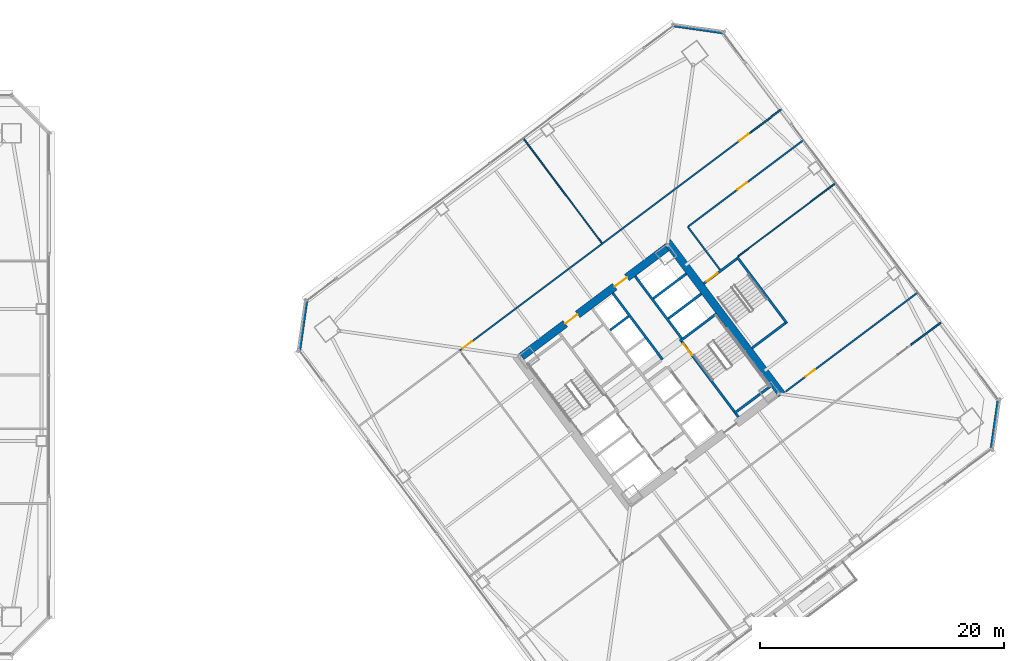
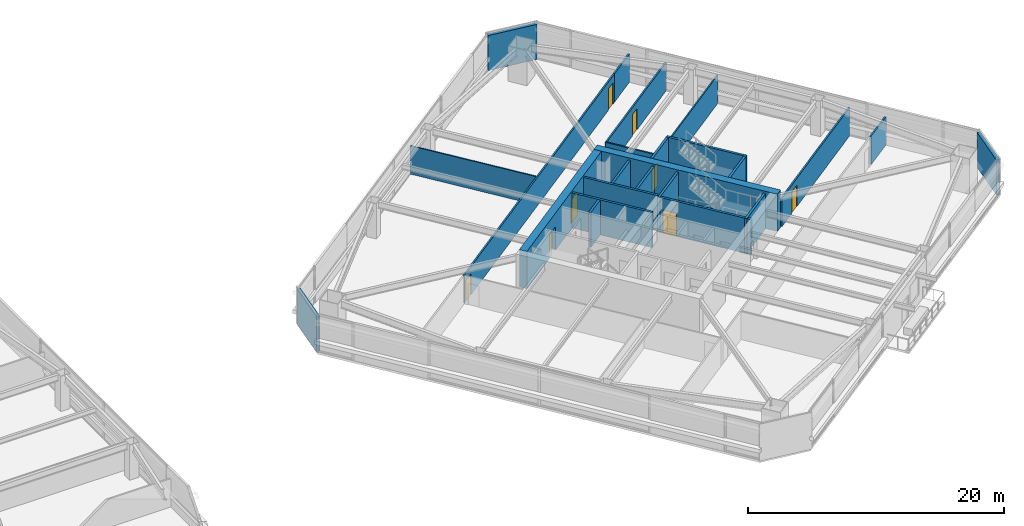
# One storey, part 42 of 51: 24 walls, 8 doors, 8 openings.
"""IFC4 building model written with IfcOpenShell, lengths in metres."""

from ifc_helpers import new_model, si_unit, direction, frame, frame_2d, origin, place, context, subcontext, project, spatial, rectangle, extrude, material, layer, layer_set, type_object, element, fill, save


model = new_model("IFC4")

# Units and contexts
model_context = context("Model", 3, precision=1e-05, world=origin(), true_north=direction((0.0, 1.0)))
body_context = subcontext(model_context, "Body", "Model", "MODEL_VIEW")
ifc_project = project(units=[si_unit("LENGTHUNIT", "METRE"), si_unit("AREAUNIT", "SQUARE_METRE"), si_unit("VOLUMEUNIT", "CUBIC_METRE"), si_unit("PLANEANGLEUNIT", "RADIAN"), si_unit("MASSUNIT", "GRAM", prefix="KILO")], contexts=[model_context])

# Site, building, storey
site_placement = place(None, origin())
site = spatial("IfcSite", under=ifc_project, at=site_placement, CompositionType="ELEMENT")
building_placement = place(site_placement, origin())
building = spatial("IfcBuilding", under=site, at=building_placement, Name="Tashvorn Skyway Center", CompositionType="ELEMENT")
storey_placement = place(building_placement, frame((0.0, 0.0, 49.449951171875)))
storey = spatial("IfcBuildingStorey", under=building, at=storey_placement, Name="L12", CompositionType="ELEMENT", Elevation=49.449951171875)

# Wall
ifc_material_1 = material(Name="Concrete C60/75", Category="concrete")
ifc_layer_1 = layer(ifc_material_1, 0.64990234375)
ifc_layer_set_1 = layer_set([ifc_layer_1], Name="Concrete C60/75")
wall_type_1 = type_object("IfcWallType", Name="WALL-CORE-650", PredefinedType="SHEAR", material=ifc_layer_set_1)
wall_1_placement = place(storey_placement, frame((115.52392578125, 42.89306640625, 0.0), z_axis=(0.0, 0.0, 1.0), x_axis=(0.600005007985, -0.799996243986, 0.0)))
element("IfcWall", 1, at=wall_1_placement, inside=storey, type_object=wall_type_1, Name="Tower 2 L12 East Core Shear Wall", PredefinedType="SHEAR", context=body_context, shape_type="SweptSolid", body=[
    extrude(rectangle(XDim=15.60009765625, YDim=0.64990234375, at=frame_2d((7.800048828125, 0.0))), origin(), (0.0, 0.0, 1.0), 3.550048828125),
])

# Wall, openings, doors
wall_2_placement = place(storey_placement, frame((103.571044921875, 33.52197265625, 0.0), z_axis=(0.0, 0.0, 1.0), x_axis=(0.799998028465, 0.600002628705, 0.0)))
wall_2 = element("IfcWall", 2, at=wall_2_placement, inside=storey, type_object=wall_type_1, Name="Tower 2 L12 North Core Shear Wall", PredefinedType="SHEAR", context=body_context, shape_type="SweptSolid", body=[
    extrude(rectangle(XDim=14.85986328125, YDim=0.64990234375, at=frame_2d((7.429931640625, 0.0))), origin(), (0.0, 0.0, 1.0), 3.550048828125),
])
opening_1_placement = place(wall_2_placement, frame((4.47998046875, 0.0, 0.0)))
opening_1 = element("IfcOpeningElement", 3, at=opening_1_placement, cuts=wall_2, Name="Opening D-FFL-1250", PredefinedType="OPENING", context=body_context, shape_type="SweptSolid", body=[
    extrude(rectangle(XDim=1.25, YDim=2.25, at=frame_2d((0.625, 1.125))), frame((0.0, 0.3349609375, 0.0), z_axis=(0.0, -1.0, 0.0), x_axis=(1.0, 0.0, 0.0)), (0.0, 0.0, 1.0), 0.669921875),
])
opening_2_placement = place(wall_2_placement, frame((9.530029296875, 0.0, 0.0)))
opening_2 = element("IfcOpeningElement", 4, at=opening_2_placement, cuts=wall_2, Name="Opening D-FFL-1250", PredefinedType="OPENING", context=body_context, shape_type="SweptSolid", body=[
    extrude(rectangle(XDim=1.25, YDim=2.25, at=frame_2d((0.625, 1.125))), frame((0.0, 0.3349609375, 0.0), z_axis=(0.0, -1.0, 0.0), x_axis=(1.0, 0.0, 0.0)), (0.0, 0.0, 1.0), 0.669921875),
])
ifc_material_2 = material(Name="Hollow galvanized steel fire door assembly", Category="steel")
door_type_1 = type_object("IfcDoorType", Name="DOOR-FFL-1250", OperationType="NOTDEFINED", PredefinedType="DOOR", material=ifc_material_2)
door_1_placement = place(opening_1_placement, origin())
door_1 = element("IfcDoor", 5, at=door_1_placement, inside=storey, type_object=door_type_1, Name="Tower 2 L12 Core North Service Lobby Door", OperationType="SINGLE_SWING_LEFT", OverallHeight=2.25, OverallWidth=1.25, PredefinedType="DOOR", context=body_context, shape_type="SweptSolid", body=[
    extrude(rectangle(XDim=1.25, YDim=2.25, at=frame_2d((0.625, 1.125))), frame((0.0, 0.02490234375, 0.0), z_axis=(0.0, -1.0, 0.0), x_axis=(1.0, 0.0, 0.0)), (0.0, 0.0, 1.0), 0.050048828125),
])
fill(opening_1, door_1)
door_2_placement = place(opening_2_placement, origin())
door_2 = element("IfcDoor", 6, at=door_2_placement, inside=storey, type_object=door_type_1, Name="Tower 2 L12 Core North Lift Lobby Door", OperationType="SINGLE_SWING_RIGHT", OverallHeight=2.25, OverallWidth=1.25, PredefinedType="DOOR", context=body_context, shape_type="SweptSolid", body=[
    extrude(rectangle(XDim=1.25, YDim=2.25, at=frame_2d((0.625, 1.125))), frame((0.0, 0.02490234375, 0.0), z_axis=(0.0, -1.0, 0.0), x_axis=(1.0, 0.0, 0.0)), (0.0, 0.0, 1.0), 0.050048828125),
])
fill(opening_2, door_2)

# Walls
ifc_material_3 = material(Name="Precast concrete C40/50", Category="concrete")
ifc_layer_2 = layer(ifc_material_3, 0.280029296875)
ifc_layer_set_2 = layer_set([ifc_layer_2], Name="Precast concrete C40/50")
wall_type_2 = type_object("IfcWallType", Name="WALL-EXT-280", PredefinedType="SOLIDWALL", material=ifc_layer_set_2)
for number, where, z_axis, x_axis, name in (
    (7, (85.360107421875, 34.02001953125, 0.0), (0.0, 0.0, 1.0), (0.14137968631, 0.989955445613, 0.0), "Tower 2 L12 NW Precast Chamfer Wall"),
    (8, (116.02001953125, 60.639892578125, 0.0), (0.0, 0.0, 1.0), (0.989955445613, -0.14137968631, 0.0), "Tower 2 L12 NE Precast Chamfer Wall"),
    (9, (142.639892578125, 29.97998046875, 0.0), (0.0, 0.0, 1.0), (-0.14137968631, -0.989955445613, 0.0), "Tower 2 L12 SE Precast Chamfer Wall"),
):
    element("IfcWall", number, at=place(storey_placement, frame(where, z_axis=z_axis, x_axis=x_axis)), inside=storey, type_object=wall_type_2, Name=name, PredefinedType="SOLIDWALL", context=body_context, shape_type="SweptSolid", body=[
        extrude(rectangle(XDim=4.101318359375, YDim=0.280029296875, at=frame_2d((2.05078125, 0.0))), origin(), (0.0, 0.0, 1.0), 3.35009765625),
    ])
ifc_material_4 = material(Name="Gypsum board on cold-formed steel stud framing", Category="steel")
ifc_layer_3 = layer(ifc_material_4, 0.110107421875)
ifc_layer_set_3 = layer_set([ifc_layer_3], Name="Gypsum board on cold-formed steel stud framing")
wall_type_3 = type_object("IfcWallType", Name="WALL-PART-110", PredefinedType="PARTITIONING", material=ifc_layer_set_3)
wall_3_placement = place(storey_placement, frame((110.132080078125, 42.823974609375, 0.0), z_axis=(0.0, 0.0, 1.0), x_axis=(-0.600007301277, 0.79999452399, 0.0)))
element("IfcWall", 10, at=wall_3_placement, inside=storey, type_object=wall_type_3, Name="Tower 2 L12 North Suite Partition 1", PredefinedType="PARTITIONING", context=body_context, shape_type="SweptSolid", body=[
    extrude(rectangle(XDim=10.7001953125, YDim=0.110107421875, at=frame_2d((5.35009765625, 0.0))), origin(), (0.0, 0.0, 1.0), 2.703125),
])
wall_4_placement = place(storey_placement, frame((129.303955078125, 47.72802734375, 0.0), z_axis=(0.0, 0.0, 1.0), x_axis=(-0.8, -0.6, 0.0)))
element("IfcWall", 11, at=wall_4_placement, inside=storey, type_object=wall_type_3, Name="Tower 2 L12 East Suite Partition 1", PredefinedType="PARTITIONING", context=body_context, shape_type="SweptSolid", body=[
    extrude(rectangle(XDim=10.0, YDim=0.110107421875, at=frame_2d((5.0, 0.0))), origin(), (0.0, 0.0, 1.0), 2.703125),
])
ifc_layer_4 = layer(ifc_material_4, 0.135009765625)
ifc_layer_set_4 = layer_set([ifc_layer_4], Name="Gypsum board on cold-formed steel stud framing")
wall_type_4 = type_object("IfcWallType", Name="WALL-PART-135", PredefinedType="PARTITIONING", material=ifc_layer_set_4)
wall_5_placement = place(storey_placement, frame((119.823974609375, 40.617919921875, 0.0), z_axis=(0.0, 0.0, 1.0), x_axis=(-0.599982243973, 0.800013316712, 0.0)))
element("IfcWall", 12, at=wall_5_placement, inside=storey, type_object=wall_type_4, Name="Tower 2 L12 Stair 3 Access Corridor Wall", PredefinedType="PARTITIONING", context=body_context, shape_type="SweptSolid", body=[
    extrude(rectangle(XDim=4.39990234375, YDim=0.135009765625, at=frame_2d((2.199951171875, 0.0))), origin(), (0.0, 0.0, 1.0), 2.703125),
])

# Wall, openings, doors
wall_6_placement = place(storey_placement, frame((98.51611328125, 34.011962890625, 0.0), z_axis=(0.0, 0.0, 1.0), x_axis=(0.799998035726, 0.600002619023, 0.0)))
wall_6 = element("IfcWall", 13, at=wall_6_placement, inside=storey, type_object=wall_type_4, Name="Tower 2 L12 North Suite Wall", PredefinedType="PARTITIONING", context=body_context, shape_type="SweptSolid", body=[
    extrude(rectangle(XDim=29.829833984375, YDim=0.135009765625, at=frame_2d((14.9150390625, 0.0))), origin(), (0.0, 0.0, 1.0), 2.703125),
])
opening_3_placement = place(wall_6_placement, frame((0.300048828125, 0.0, 0.0)))
opening_3 = element("IfcOpeningElement", 14, at=opening_3_placement, cuts=wall_6, Name="Opening D-INT-950", PredefinedType="OPENING", context=body_context, shape_type="SweptSolid", body=[
    extrude(rectangle(XDim=0.949951171875, YDim=2.050048828125, at=frame_2d((0.47509765625, 1.02490234375))), frame((0.0, 0.077392578125, 0.0), z_axis=(0.0, -1.0, 0.0), x_axis=(1.0, 0.0, 0.0)), (0.0, 0.0, 1.0), 0.155029296875),
])
opening_4_placement = place(wall_6_placement, frame((28.580078125, 0.0, 0.0)))
opening_4 = element("IfcOpeningElement", 15, at=opening_4_placement, cuts=wall_6, Name="Opening D-INT-950", PredefinedType="OPENING", context=body_context, shape_type="SweptSolid", body=[
    extrude(rectangle(XDim=0.949951171875, YDim=2.050048828125, at=frame_2d((0.47509765625, 1.02490234375))), frame((0.0, 0.077392578125, 0.0), z_axis=(0.0, -1.0, 0.0), x_axis=(1.0, 0.0, 0.0)), (0.0, 0.0, 1.0), 0.155029296875),
])
ifc_material_5 = material(Name="Solid-core architectural oak veneer door")
door_type_2 = type_object("IfcDoorType", Name="DOOR-INT-950", OperationType="NOTDEFINED", PredefinedType="DOOR", material=ifc_material_5)
door_3_placement = place(opening_3_placement, origin())
door_3 = element("IfcDoor", 16, at=door_3_placement, inside=storey, type_object=door_type_2, Name="Tower 2 L12 Wellness Clinic Door", OperationType="SINGLE_SWING_RIGHT", OverallHeight=2.050048828125, OverallWidth=0.949951171875, PredefinedType="DOOR", context=body_context, shape_type="SweptSolid", body=[
    extrude(rectangle(XDim=0.949951171875, YDim=2.050048828125, at=frame_2d((0.47509765625, 1.02490234375))), frame((0.0, 0.02490234375, 0.0), z_axis=(0.0, -1.0, 0.0), x_axis=(1.0, 0.0, 0.0)), (0.0, 0.0, 1.0), 0.050048828125),
])
fill(opening_3, door_3)
door_4_placement = place(opening_4_placement, origin())
door_4 = element("IfcDoor", 17, at=door_4_placement, inside=storey, type_object=door_type_2, Name="Tower 2 L12 Wellness Clinic Door", OperationType="SINGLE_SWING_LEFT", OverallHeight=2.050048828125, OverallWidth=0.949951171875, PredefinedType="DOOR", context=body_context, shape_type="SweptSolid", body=[
    extrude(rectangle(XDim=0.949951171875, YDim=2.050048828125, at=frame_2d((0.47509765625, 1.02490234375))), frame((0.0, 0.02490234375, 0.0), z_axis=(0.0, -1.0, 0.0), x_axis=(1.0, 0.0, 0.0)), (0.0, 0.0, 1.0), 0.050048828125),
])
fill(opening_4, door_4)

# Walls
for number, where, z_axis, x_axis, name in (
    (18, (122.3798828125, 51.909912109375, 0.0), (0.0, 0.0, 1.0), (0.799990331366, 0.600012891296, 0.0), "Tower 2 L12 North-East Suite South Wall"),
    (19, (135.4599609375, 34.469970703125, 0.0), (0.0, 0.0, 1.0), (0.799990331366, 0.600012891296, 0.0), "Tower 2 L12 South-East Suite North Wall"),
):
    element("IfcWall", number, at=place(storey_placement, frame(where, z_axis=z_axis, x_axis=x_axis)), inside=storey, type_object=wall_type_4, Name=name, PredefinedType="PARTITIONING", context=body_context, shape_type="SweptSolid", body=[
        extrude(rectangle(XDim=3.030029296875, YDim=0.135009765625, at=frame_2d((1.51513671875, 0.0))), origin(), (0.0, 0.0, 1.0), 2.703125),
    ])

# Wall, opening, door
wall_7_placement = place(storey_placement, frame((126.6640625, 51.248046875, 0.0), z_axis=(0.0, 0.0, 1.0), x_axis=(-0.799995055373, -0.600006592779, 0.0)))
wall_7 = element("IfcWall", 20, at=wall_7_placement, inside=storey, type_object=wall_type_4, Name="Tower 2 L12 East Suite North Wall", PredefinedType="PARTITIONING", context=body_context, shape_type="SweptSolid", body=[
    extrude(rectangle(XDim=11.85009765625, YDim=0.135009765625, at=frame_2d((5.925048828125, 0.0))), origin(), (0.0, 0.0, 1.0), 2.703125),
])
opening_5_placement = place(wall_7_placement, frame((5.800048828125, 0.0, 0.0)))
opening_5 = element("IfcOpeningElement", 21, at=opening_5_placement, cuts=wall_7, Name="Opening D-INT-950", PredefinedType="OPENING", context=body_context, shape_type="SweptSolid", body=[
    extrude(rectangle(XDim=0.949951171875, YDim=2.050048828125, at=frame_2d((0.47509765625, 1.02490234375))), frame((0.0, 0.077392578125, 0.0), z_axis=(0.0, -1.0, 0.0), x_axis=(1.0, 0.0, 0.0)), (0.0, 0.0, 1.0), 0.155029296875),
])
door_5_placement = place(opening_5_placement, origin())
door_5 = element("IfcDoor", 22, at=door_5_placement, inside=storey, type_object=door_type_2, Name="Tower 2 L12 Operations Control Room Door", OperationType="SINGLE_SWING_RIGHT", OverallHeight=2.050048828125, OverallWidth=0.949951171875, PredefinedType="DOOR", context=body_context, shape_type="SweptSolid", body=[
    extrude(rectangle(XDim=0.949951171875, YDim=2.050048828125, at=frame_2d((0.47509765625, 1.02490234375))), frame((0.0, 0.02490234375, 0.0), z_axis=(0.0, -1.0, 0.0), x_axis=(1.0, 0.0, 0.0)), (0.0, 0.0, 1.0), 0.050048828125),
])
fill(opening_5, door_5)

wall_8_placement = place(storey_placement, frame((125.2080078125, 30.656005859375, 0.0), z_axis=(0.0, 0.0, 1.0), x_axis=(0.799995666112, 0.600005778473, 0.0)))
wall_8 = element("IfcWall", 23, at=wall_8_placement, inside=storey, type_object=wall_type_4, Name="Tower 2 L12 East Suite South Wall", PredefinedType="PARTITIONING", context=body_context, shape_type="SweptSolid", body=[
    extrude(rectangle(XDim=13.52001953125, YDim=0.135009765625, at=frame_2d((6.760009765625, 0.0))), origin(), (0.0, 0.0, 1.0), 2.703125),
])
opening_6_placement = place(wall_8_placement, frame((2.044921875, 0.0, 0.0)))
opening_6 = element("IfcOpeningElement", 24, at=opening_6_placement, cuts=wall_8, Name="Opening D-INT-950", PredefinedType="OPENING", context=body_context, shape_type="SweptSolid", body=[
    extrude(rectangle(XDim=0.949951171875, YDim=2.050048828125, at=frame_2d((0.47509765625, 1.02490234375))), frame((0.0, 0.077392578125, 0.0), z_axis=(0.0, -1.0, 0.0), x_axis=(1.0, 0.0, 0.0)), (0.0, 0.0, 1.0), 0.155029296875),
])
door_6_placement = place(opening_6_placement, origin())
door_6 = element("IfcDoor", 25, at=door_6_placement, inside=storey, type_object=door_type_2, Name="Tower 2 L12 Public Restroom Door", OperationType="SINGLE_SWING_LEFT", OverallHeight=2.050048828125, OverallWidth=0.949951171875, PredefinedType="DOOR", context=body_context, shape_type="SweptSolid", body=[
    extrude(rectangle(XDim=0.949951171875, YDim=2.050048828125, at=frame_2d((0.47509765625, 1.02490234375))), frame((0.0, 0.02490234375, 0.0), z_axis=(0.0, -1.0, 0.0), x_axis=(1.0, 0.0, 0.0)), (0.0, 0.0, 1.0), 0.050048828125),
])
fill(opening_6, door_6)

# Walls
ifc_material_6 = material(Name="Concrete C40/50", Category="concrete")
ifc_layer_5 = layer(ifc_material_6, 0.199951171875)
ifc_layer_set_5 = layer_set([ifc_layer_5], Name="Concrete C40/50")
wall_type_5 = type_object("IfcWallType", Name="WALL-SHAFT-200", PredefinedType="SOLIDWALL", material=ifc_layer_set_5)
for number, where, z_axis, x_axis, name in (
    (26, (115.590087890625, 36.6298828125, 0.0), (0.0, 0.0, 1.0), (0.799973995579, 0.600034670996, 0.0), "Tower 2 L12 High-Rise Shaft Divider"),
    (27, (114.360107421875, 38.27001953125, 0.0), (0.0, 0.0, 1.0), (0.799973995579, 0.600034670996, 0.0), "Tower 2 L12 High-Rise Shaft Divider"),
):
    element("IfcWall", number, at=place(storey_placement, frame(where, z_axis=z_axis, x_axis=x_axis)), inside=storey, type_object=wall_type_5, Name=name, PredefinedType="SOLIDWALL", context=body_context, shape_type="SweptSolid", body=[
        extrude(rectangle(XDim=3.3798828125, YDim=0.199951171875, at=frame_2d((1.68994140625, 0.0))), origin(), (0.0, 0.0, 1.0), 3.35009765625),
    ])
wall_9_placement = place(storey_placement, frame((115.110107421875, 33.27001953125, 0.0), z_axis=(0.0, 0.0, 1.0), x_axis=(-0.600011488909, 0.79999138319, 0.0)))
element("IfcWall", 28, at=wall_9_placement, inside=storey, type_object=wall_type_5, Name="Tower 2 L12 Mid-Rise Core Wall", PredefinedType="SOLIDWALL", context=body_context, shape_type="SweptSolid", body=[
    extrude(rectangle(XDim=6.800048828125, YDim=0.199951171875, at=frame_2d((3.39990234375, 0.0))), origin(), (0.0, 0.0, 1.0), 3.35009765625),
])
wall_10_placement = place(storey_placement, frame((110.825927734375, 35.681884765625, 0.0), z_axis=(0.0, 0.0, 1.0), x_axis=(0.799984418148, 0.600020775241, 0.0)))
element("IfcWall", 29, at=wall_10_placement, inside=storey, type_object=wall_type_5, Name="Tower 2 L12 Mid-Rise Shaft Divider", PredefinedType="SOLIDWALL", context=body_context, shape_type="SweptSolid", body=[
    extrude(rectangle(XDim=1.880126953125, YDim=0.199951171875, at=frame_2d((0.93994140625, 0.0))), origin(), (0.0, 0.0, 1.0), 3.35009765625),
])

# Wall, opening, door
ifc_layer_6 = layer(ifc_material_6, 0.199951171875)
ifc_layer_set_6 = layer_set([ifc_layer_6], Name="Concrete C40/50")
wall_type_6 = type_object("IfcWallType", Name="WALL-STSHF-200", PredefinedType="SHEAR", material=ifc_layer_set_6)
wall_11_placement = place(storey_placement, frame((116.56005859375, 34.919921875, 0.0), z_axis=(0.0, 0.0, 1.0), x_axis=(0.600009827119, -0.799992629566, 0.0)))
wall_11 = element("IfcWall", 30, at=wall_11_placement, inside=storey, type_object=wall_type_6, Name="Tower 2 L12 Stair 2 Enclosure Wall", PredefinedType="SHEAR", context=body_context, shape_type="SweptSolid", body=[
    extrude(rectangle(XDim=7.949951171875, YDim=0.199951171875, at=frame_2d((3.97509765625, 0.0))), origin(), (0.0, 0.0, 1.0), 3.35009765625),
])
opening_7_placement = place(wall_11_placement, frame((0.449951171875, 0.0, 0.0)))
opening_7 = element("IfcOpeningElement", 31, at=opening_7_placement, cuts=wall_11, Name="Opening D-ST-1150", PredefinedType="OPENING", context=body_context, shape_type="SweptSolid", body=[
    extrude(rectangle(XDim=1.14990234375, YDim=2.199951171875, at=frame_2d((0.574951171875, 1.10009765625))), frame((0.0, 0.10986328125, 0.0), z_axis=(0.0, -1.0, 0.0), x_axis=(1.0, 0.0, 0.0)), (0.0, 0.0, 1.0), 0.219970703125),
])
door_type_3 = type_object("IfcDoorType", Name="DOOR-STAIR-1150", OperationType="NOTDEFINED", PredefinedType="DOOR", material=ifc_material_2)
door_7_placement = place(opening_7_placement, origin())
door_7 = element("IfcDoor", 32, at=door_7_placement, inside=storey, type_object=door_type_3, Name="Tower 2 L12 Exit Stair 2 Door", OperationType="SINGLE_SWING_RIGHT", OverallHeight=2.199951171875, OverallWidth=1.14990234375, PredefinedType="DOOR", context=body_context, shape_type="SweptSolid", body=[
    extrude(rectangle(XDim=1.14990234375, YDim=2.199951171875, at=frame_2d((0.574951171875, 1.10009765625))), frame((0.0, 0.02490234375, 0.0), z_axis=(0.0, -1.0, 0.0), x_axis=(1.0, 0.0, 0.0)), (0.0, 0.0, 1.0), 0.050048828125),
])
fill(opening_7, door_7)

# Walls
for number, where, z_axis, x_axis, name in (
    (33, (116.5400390625, 34.780029296875, 0.0), (0.0, 0.0, 1.0), (0.799984290658, 0.600020945218, 0.0), "Tower 2 L12 Stair 2 North Wall"),
    (34, (120.97998046875, 28.860107421875, 0.0), (0.0, 0.0, 1.0), (0.800039270442, 0.59994763584, 0.0), "Tower 2 L12 Stair 2 South Wall"),
):
    element("IfcWall", number, at=place(storey_placement, frame(where, z_axis=z_axis, x_axis=x_axis)), inside=storey, type_object=wall_type_6, Name=name, PredefinedType="SHEAR", context=body_context, shape_type="SweptSolid", body=[
        extrude(rectangle(XDim=3.72998046875, YDim=0.199951171875, at=frame_2d((1.864990234375, 0.0))), origin(), (0.0, 0.0, 1.0), 3.35009765625),
    ])
wall_12_placement = place(storey_placement, frame((112.8701171875, 40.090087890625, 0.0), z_axis=(0.0, 0.0, 1.0), x_axis=(0.599975393228, -0.800018454488, 0.0)))
element("IfcWall", 35, at=wall_12_placement, inside=storey, type_object=wall_type_6, Name="Tower 2 L12 High-Rise Lift Shaft Front Wall", PredefinedType="SHEAR", context=body_context, shape_type="SweptSolid", body=[
    extrude(rectangle(XDim=6.349853515625, YDim=0.199951171875, at=frame_2d((3.1748046875, 0.0))), origin(), (0.0, 0.0, 1.0), 3.35009765625),
])
wall_13_placement = place(storey_placement, frame((125.303955078125, 36.22802734375, 0.0), z_axis=(0.0, 0.0, 1.0), x_axis=(-0.59998851072, 0.800008616831, 0.0)))
element("IfcWall", 36, at=wall_13_placement, inside=storey, type_object=wall_type_6, Name="Tower 2 L12 Stair 3 Outer Wall", PredefinedType="SHEAR", context=body_context, shape_type="SweptSolid", body=[
    extrude(rectangle(XDim=6.7998046875, YDim=0.199951171875, at=frame_2d((3.39990234375, 0.0))), origin(), (0.0, 0.0, 1.0), 3.35009765625),
])

# Wall, opening, door
wall_14_placement = place(storey_placement, frame((121.2041015625, 41.528076171875, 0.0), z_axis=(0.0, 0.0, 1.0), x_axis=(-0.800017232136, -0.599977023131, 0.0)))
wall_14 = element("IfcWall", 37, at=wall_14_placement, inside=storey, type_object=wall_type_6, Name="Tower 2 L12 Stair 3 Enclosure Wall", PredefinedType="SHEAR", context=body_context, shape_type="SweptSolid", body=[
    extrude(rectangle(XDim=3.400146484375, YDim=0.199951171875, at=frame_2d((1.7001953125, 0.0))), origin(), (0.0, 0.0, 1.0), 3.35009765625),
])
opening_8_placement = place(wall_14_placement, frame((1.97509765625, 0.0, 0.0)))
opening_8 = element("IfcOpeningElement", 38, at=opening_8_placement, cuts=wall_14, Name="Opening D-ST-1150", PredefinedType="OPENING", context=body_context, shape_type="SweptSolid", body=[
    extrude(rectangle(XDim=1.14990234375, YDim=2.199951171875, at=frame_2d((0.574951171875, 1.10009765625))), frame((0.0, 0.10986328125, 0.0), z_axis=(0.0, -1.0, 0.0), x_axis=(1.0, 0.0, 0.0)), (0.0, 0.0, 1.0), 0.219970703125),
])
door_8_placement = place(opening_8_placement, origin())
door_8 = element("IfcDoor", 39, at=door_8_placement, inside=storey, type_object=door_type_3, Name="Tower 2 L12 Exit Stair 3 Door", OperationType="SINGLE_SWING_RIGHT", OverallHeight=2.199951171875, OverallWidth=1.14990234375, PredefinedType="DOOR", context=body_context, shape_type="SweptSolid", body=[
    extrude(rectangle(XDim=1.14990234375, YDim=2.199951171875, at=frame_2d((0.574951171875, 1.10009765625))), frame((0.0, 0.02490234375, 0.0), z_axis=(0.0, -1.0, 0.0), x_axis=(1.0, 0.0, 0.0)), (0.0, 0.0, 1.0), 0.050048828125),
])
fill(opening_8, door_8)

# Wall
wall_15_placement = place(storey_placement, frame((122.444091796875, 34.2080078125, 0.0), z_axis=(0.0, 0.0, 1.0), x_axis=(0.79999138319, 0.600011488909, 0.0)))
element("IfcWall", 40, at=wall_15_placement, inside=storey, type_object=wall_type_6, Name="Tower 2 L12 Stair 3 South Wall", PredefinedType="SHEAR", context=body_context, shape_type="SweptSolid", body=[
    extrude(rectangle(XDim=3.39990234375, YDim=0.199951171875, at=frame_2d((1.699951171875, 0.0))), origin(), (0.0, 0.0, 1.0), 3.35009765625),
])

save(model, "model.ifc")
